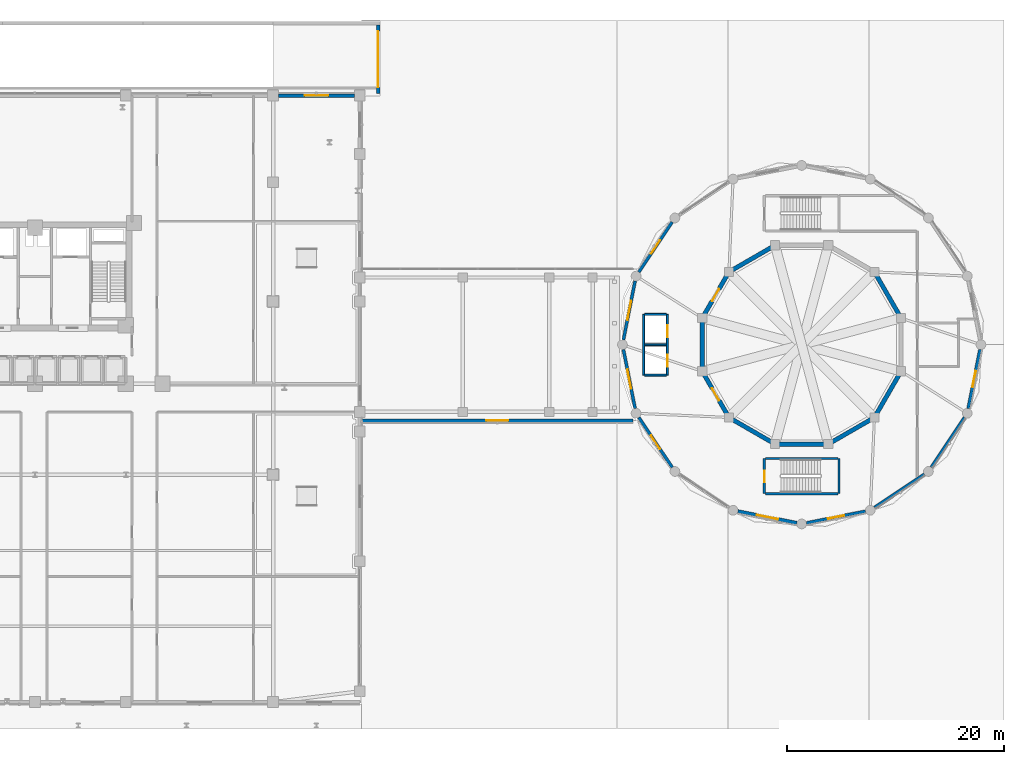
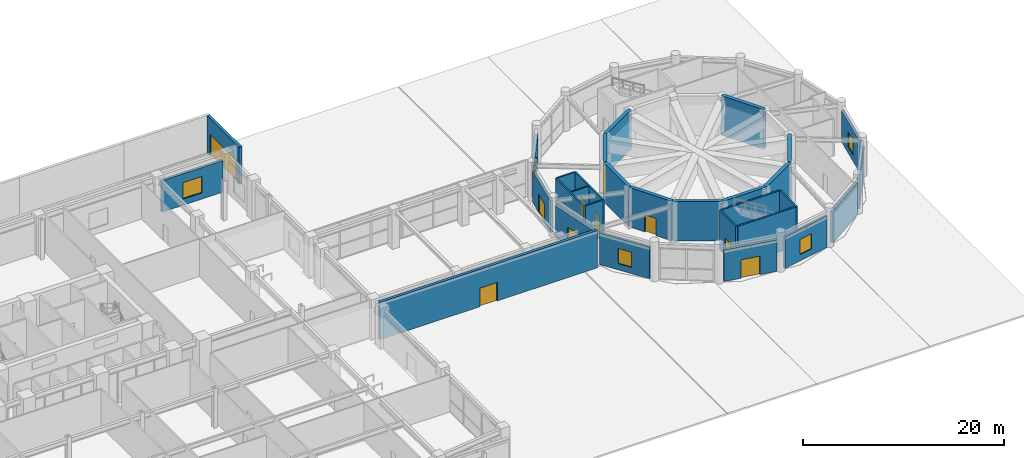
# One storey, part 27 of 40: 30 walls, 10 doors, 5 windows, 15 openings.
"""IFC4 building model written with IfcOpenShell, lengths in metres."""

from ifc_helpers import new_model, si_unit, derived_unit, direction, frame, frame_2d, origin, place, context, subcontext, project, spatial, rectangle, extrude, material, layer, layer_set, type_object, element, fill, save


model = new_model("IFC4")

# Units and contexts
model_context = context("Model", 3, precision=1e-05, world=origin(), true_north=direction((0.0, 1.0)))
body_context = subcontext(model_context, "Body", "Model", "MODEL_VIEW")
ifc_project = project(units=[si_unit("LENGTHUNIT", "METRE"), si_unit("AREAUNIT", "SQUARE_METRE"), si_unit("VOLUMEUNIT", "CUBIC_METRE"), si_unit("PLANEANGLEUNIT", "RADIAN"), si_unit("MASSUNIT", "GRAM", prefix="KILO"), derived_unit("THERMALTRANSMITTANCEUNIT", [(si_unit("POWERUNIT", "WATT"), 1), (si_unit("LENGTHUNIT", "METRE"), -2), (si_unit("THERMODYNAMICTEMPERATUREUNIT", "KELVIN"), -1)])], contexts=[model_context])

# Site, building, storey
site_placement = place(None, origin())
site = spatial("IfcSite", under=ifc_project, at=site_placement, CompositionType="ELEMENT")
building_placement = place(site_placement, origin())
building = spatial("IfcBuilding", under=site, at=building_placement, Name="Korsvarv Bourse and Concert Hall", CompositionType="ELEMENT")
storey_placement = place(building_placement, origin())
storey = spatial("IfcBuildingStorey", under=building, at=storey_placement, Name="L00", CompositionType="ELEMENT", Elevation=0.0)

# Wall, opening, door
ifc_material_1 = material(Name="Concrete C50/60", Category="concrete")
ifc_layer_1 = layer(ifc_material_1, 0.3798828125)
ifc_layer_set_1 = layer_set([ifc_layer_1], Name="Concrete C50/60")
wall_type_1 = type_object("IfcWallType", Name="WL-CORE-380", PredefinedType="SHEAR", material=ifc_layer_set_1)
wall_1_placement = place(storey_placement, frame((103.35009765625, 22.239990234375, 0.0), z_axis=(0.0, 0.0, 1.0), x_axis=(0.0, 1.0, 0.0)))
wall_1 = element("IfcWall", 1, at=wall_1_placement, inside=storey, type_object=wall_type_1, Name="L00 stair shaft structural wall W-L00-STCH2-W", PredefinedType="SHEAR", context=body_context, shape_type="SweptSolid", body=[
    extrude(rectangle(XDim=3.260009765625, YDim=0.199951171875, at=frame_2d((1.6298828125, 0.0))), origin(), (0.0, 0.0, 1.0), 4.800048828125),
])
opening_1_placement = place(wall_1_placement, frame((1.050048828125, 0.0, 0.0)))
opening_1 = element("IfcOpeningElement", 2, at=opening_1_placement, cuts=wall_1, Name="Opening D-01", PredefinedType="OPENING", context=body_context, shape_type="SweptSolid", body=[
    extrude(rectangle(XDim=1.050048828125, YDim=2.10009765625, at=frame_2d((0.52490234375, 1.050048828125))), frame((0.0, 0.10986328125, 0.0), z_axis=(0.0, -1.0, 0.0), x_axis=(1.0, 0.0, 0.0)), (0.0, 0.0, 1.0), 0.219970703125),
])
ifc_material_2 = material(Name="Steel S355 fire door", Category="steel")
door_type_1 = type_object("IfcDoorType", Name="DR-FD60", OperationType="NOTDEFINED", PredefinedType="DOOR", material=ifc_material_2)
door_1_placement = place(opening_1_placement, origin())
door_1 = element("IfcDoor", 3, at=door_1_placement, inside=storey, type_object=door_type_1, Name="L00 interior door DR-L00-STCH2", OperationType="SINGLE_SWING_RIGHT", OverallHeight=2.10009765625, OverallWidth=1.050048828125, PredefinedType="DOOR", context=body_context, shape_type="SweptSolid", body=[
    extrude(rectangle(XDim=1.050048828125, YDim=2.10009765625, at=frame_2d((0.52490234375, 1.050048828125))), frame((0.0, 0.02490234375, 0.0), z_axis=(0.0, -1.0, 0.0), x_axis=(1.0, 0.0, 0.0)), (0.0, 0.0, 1.0), 0.050048828125),
])
fill(opening_1, door_1)

# Walls
for number, where, z_axis, x_axis, name in (
    (4, (103.4599609375, 25.5, 0.0), (0.0, 0.0, 1.0), (1.0, 0.0, 0.0), "L00 stair shaft structural wall W-L00-STCH2-N"),
    (5, (103.4599609375, 22.239990234375, 0.0), (0.0, 0.0, 1.0), (1.0, 0.0, 0.0), "L00 stair shaft structural wall W-L00-STCH2-S"),
):
    element("IfcWall", number, at=place(storey_placement, frame(where, z_axis=z_axis, x_axis=x_axis)), inside=storey, type_object=wall_type_1, Name=name, PredefinedType="SHEAR", context=body_context, shape_type="SweptSolid", body=[
        extrude(rectangle(XDim=6.679931640625, YDim=0.199951171875, at=frame_2d((3.33984375, 0.0))), origin(), (0.0, 0.0, 1.0), 4.800048828125),
    ])
wall_2_placement = place(storey_placement, frame((110.25, 22.239990234375, 0.0), z_axis=(0.0, 0.0, 1.0), x_axis=(0.0, 1.0, 0.0)))
element("IfcWall", 6, at=wall_2_placement, inside=storey, type_object=wall_type_1, Name="L00 stair shaft structural wall W-L00-STCH2-E", PredefinedType="SHEAR", context=body_context, shape_type="SweptSolid", body=[
    extrude(rectangle(XDim=3.260009765625, YDim=0.199951171875, at=frame_2d((1.6298828125, 0.0))), origin(), (0.0, 0.0, 1.0), 4.800048828125),
])
ifc_layer_2 = layer(ifc_material_1, 0.39990234375)
ifc_layer_set_2 = layer_set([ifc_layer_2], Name="Concrete C50/60")
wall_type_2 = type_object("IfcWallType", Name="WL-DRM-400", PredefinedType="SOLIDWALL", material=ifc_layer_set_2)
for number, where, z_axis, x_axis, name in (
    (7, (115.976318359375, 38.458740234375, 0.0), (0.0, 0.0, 1.0), (-0.499988900423, 0.866031812033, 0.0), "L00 Concert Hall Acoustic Bowl Wall 1"),
    (8, (104.34130859375, 45.17626953125, 0.0), (0.0, 0.0, 1.0), (-0.866031812033, -0.499988900423, 0.0), "L00 Concert Hall Acoustic Bowl Wall 4"),
):
    element("IfcWall", number, at=place(storey_placement, frame(where, z_axis=z_axis, x_axis=x_axis)), inside=storey, type_object=wall_type_2, Name=name, PredefinedType="SOLIDWALL", context=body_context, shape_type="SweptSolid", body=[
        extrude(rectangle(XDim=4.91748046875, YDim=0.39990234375, at=frame_2d((2.458740234375, 0.0))), origin(), (0.0, 0.0, 1.0), 4.800048828125),
    ])

# Wall, opening, door
wall_3_placement = place(storey_placement, frame((100.08251953125, 42.717529296875, 0.0), z_axis=(0.0, 0.0, 1.0), x_axis=(-0.499988900423, -0.866031812033, 0.0)))
wall_3 = element("IfcWall", 9, at=wall_3_placement, inside=storey, type_object=wall_type_2, Name="L00 Concert Hall Acoustic Bowl Wall 5", PredefinedType="SOLIDWALL", context=body_context, shape_type="SweptSolid", body=[
    extrude(rectangle(XDim=4.91748046875, YDim=0.39990234375, at=frame_2d((2.458740234375, 0.0))), origin(), (0.0, 0.0, 1.0), 4.800048828125),
])
opening_2_placement = place(wall_3_placement, frame((1.808837890625, 0.0, 0.0)))
opening_2 = element("IfcOpeningElement", 10, at=opening_2_placement, cuts=wall_3, Name="Opening D-04", PredefinedType="OPENING", context=body_context, shape_type="SweptSolid", body=[
    extrude(rectangle(XDim=1.300048828125, YDim=2.10009765625, at=frame_2d((0.64990234375, 1.050048828125))), frame((0.0, 0.2099609375, 0.0), z_axis=(0.0, -1.0, 0.0), x_axis=(1.0, 0.0, 0.0)), (0.0, 0.0, 1.0), 0.419921875),
])
ifc_material_3 = material(Name="Glazed aluminium double corridor door", Category="aluminium")
door_type_2 = type_object("IfcDoorType", Name="DR-INT-2", OperationType="DOUBLE_DOOR_SINGLE_SWING", PredefinedType="DOOR", material=ifc_material_3)
door_2_placement = place(opening_2_placement, frame((1.300048828125, 0.0, 0.0), z_axis=(0.0, 0.0, 1.0), x_axis=(-1.0, 0.0, 0.0)))
door_2 = element("IfcDoor", 11, at=door_2_placement, inside=storey, type_object=door_type_2, Name="L00 Symphony Auditorium acoustic door DR-L00-CHB1", OperationType="SINGLE_SWING_LEFT", OverallHeight=2.10009765625, OverallWidth=1.300048828125, PredefinedType="DOOR", context=body_context, shape_type="SweptSolid", body=[
    extrude(rectangle(XDim=1.300048828125, YDim=2.10009765625, at=frame_2d((0.64990234375, 1.050048828125))), frame((0.0, 0.02490234375, 0.0), z_axis=(0.0, -1.0, 0.0), x_axis=(1.0, 0.0, 0.0)), (0.0, 0.0, 1.0), 0.050048828125),
])
fill(opening_2, door_2)

# Wall
wall_4_placement = place(storey_placement, frame((97.623779296875, 38.458740234375, 0.0), z_axis=(0.0, 0.0, 1.0), x_axis=(0.0, -1.0, 0.0)))
element("IfcWall", 12, at=wall_4_placement, inside=storey, type_object=wall_type_2, Name="L00 Concert Hall Acoustic Bowl Wall 6", PredefinedType="SOLIDWALL", context=body_context, shape_type="SweptSolid", body=[
    extrude(rectangle(XDim=4.91748046875, YDim=0.39990234375, at=frame_2d((2.458740234375, 0.0))), origin(), (0.0, 0.0, 1.0), 4.800048828125),
])

# Wall, opening, door
wall_5_placement = place(storey_placement, frame((97.623779296875, 33.541259765625, 0.0), z_axis=(0.0, 0.0, 1.0), x_axis=(0.499988900423, -0.866031812033, 0.0)))
wall_5 = element("IfcWall", 13, at=wall_5_placement, inside=storey, type_object=wall_type_2, Name="L00 Concert Hall Acoustic Bowl Wall 7", PredefinedType="SOLIDWALL", context=body_context, shape_type="SweptSolid", body=[
    extrude(rectangle(XDim=4.91748046875, YDim=0.39990234375, at=frame_2d((2.458740234375, 0.0))), origin(), (0.0, 0.0, 1.0), 4.800048828125),
])
opening_3_placement = place(wall_5_placement, frame((1.808837890625, 0.0, 0.0)))
opening_3 = element("IfcOpeningElement", 14, at=opening_3_placement, cuts=wall_5, Name="Opening D-04", PredefinedType="OPENING", context=body_context, shape_type="SweptSolid", body=[
    extrude(rectangle(XDim=1.300048828125, YDim=2.10009765625, at=frame_2d((0.64990234375, 1.050048828125))), frame((0.0, 0.2099609375, 0.0), z_axis=(0.0, -1.0, 0.0), x_axis=(1.0, 0.0, 0.0)), (0.0, 0.0, 1.0), 0.419921875),
])
door_3_placement = place(opening_3_placement, frame((1.300048828125, 0.0, 0.0), z_axis=(0.0, 0.0, 1.0), x_axis=(-1.0, 0.0, 0.0)))
door_3 = element("IfcDoor", 15, at=door_3_placement, inside=storey, type_object=door_type_2, Name="L00 Symphony Auditorium acoustic door DR-L00-CHB2", OperationType="SINGLE_SWING_RIGHT", OverallHeight=2.10009765625, OverallWidth=1.300048828125, PredefinedType="DOOR", context=body_context, shape_type="SweptSolid", body=[
    extrude(rectangle(XDim=1.300048828125, YDim=2.10009765625, at=frame_2d((0.64990234375, 1.050048828125))), frame((0.0, 0.02490234375, 0.0), z_axis=(0.0, -1.0, 0.0), x_axis=(1.0, 0.0, 0.0)), (0.0, 0.0, 1.0), 0.050048828125),
])
fill(opening_3, door_3)

# Walls
for number, where, z_axis, x_axis, name in (
    (16, (100.08251953125, 29.282470703125, 0.0), (0.0, 0.0, 1.0), (0.866031812033, -0.499988900423, 0.0), "L00 Concert Hall Acoustic Bowl Wall 8"),
    (17, (104.34130859375, 26.82373046875, 0.0), (0.0, 0.0, 1.0), (1.0, 0.0, 0.0), "L00 Concert Hall Acoustic Bowl Wall 9"),
    (18, (109.2587890625, 26.82373046875, 0.0), (0.0, 0.0, 1.0), (0.866031812033, 0.499988900423, 0.0), "L00 Concert Hall Acoustic Bowl Wall 10"),
    (19, (113.517578125, 29.282470703125, 0.0), (0.0, 0.0, 1.0), (0.499988900423, 0.866031812033, 0.0), "L00 Concert Hall Acoustic Bowl Wall 11"),
):
    element("IfcWall", number, at=place(storey_placement, frame(where, z_axis=z_axis, x_axis=x_axis)), inside=storey, type_object=wall_type_2, Name=name, PredefinedType="SOLIDWALL", context=body_context, shape_type="SweptSolid", body=[
        extrude(rectangle(XDim=4.91748046875, YDim=0.39990234375, at=frame_2d((2.458740234375, 0.0))), origin(), (0.0, 0.0, 1.0), 4.800048828125),
    ])

# Wall, opening, window
ifc_material_4 = material(Name="Precast concrete C45/55 with granite and terracotta", Category="concrete")
ifc_layer_3 = layer(ifc_material_4, 0.320068359375)
ifc_layer_set_3 = layer_set([ifc_layer_3], Name="Precast concrete C45/55 with granite and terracotta")
wall_type_3 = type_object("IfcWallType", Name="WL-EXT-POD", PredefinedType="SOLIDWALL", material=ifc_layer_set_3)
wall_6_placement = place(storey_placement, frame((58.5048828125, 59.0, 0.0), z_axis=(0.0, 0.0, 1.0), x_axis=(1.0, 0.0, 0.0)))
wall_6 = element("IfcWall", 20, at=wall_6_placement, inside=storey, type_object=wall_type_3, Name="L00 terracotta exterior wall EW-L00-N5", PredefinedType="SOLIDWALL", context=body_context, shape_type="SweptSolid", body=[
    extrude(rectangle(XDim=6.990234375, YDim=0.320068359375, at=frame_2d((3.4951171875, 0.0))), origin(), (0.0, 0.0, 1.0), 3.820068359375),
])
opening_4_placement = place(wall_6_placement, frame((2.39501953125, 0.0, 0.75)))
opening_4 = element("IfcOpeningElement", 21, at=opening_4_placement, cuts=wall_6, Name="Opening W-03", PredefinedType="OPENING", context=body_context, shape_type="SweptSolid", body=[
    extrude(rectangle(XDim=2.199951171875, YDim=2.0, at=frame_2d((1.10009765625, 1.0))), frame((0.0, 0.169921875, 0.0), z_axis=(0.0, -1.0, 0.0), x_axis=(1.0, 0.0, 0.0)), (0.0, 0.0, 1.0), 0.340087890625),
])
ifc_material_5 = material(Name="Thermally broken aluminium frame with triple low-E glass", Category="glass")
window_type_1 = type_object("IfcWindowType", Name="WIN-POD1", PartitioningType="SINGLE_PANEL", PredefinedType="WINDOW", material=ifc_material_5)
window_1_placement = place(opening_4_placement, origin())
window_1 = element("IfcWindow", 22, at=window_1_placement, inside=storey, type_object=window_type_1, Name="L00 punched facade window W-03", OverallHeight=2.0, OverallWidth=2.199951171875, PartitioningType="SINGLE_PANEL", PredefinedType="WINDOW", context=body_context, shape_type="SweptSolid", body=[
    extrude(rectangle(XDim=2.199951171875, YDim=2.0, at=frame_2d((1.10009765625, 1.0))), frame((0.0, 0.030029296875, 0.0), z_axis=(0.0, -1.0, 0.0), x_axis=(1.0, 0.0, 0.0)), (0.0, 0.0, 1.0), 0.06005859375),
])
fill(opening_4, window_1)

# Wall, opening, door
wall_7_placement = place(storey_placement, frame((67.699951171875, 59.179931640625, 0.0), z_axis=(0.0, 0.0, 1.0), x_axis=(0.0, 1.0, 0.0)))
wall_7 = element("IfcWall", 23, at=wall_7_placement, inside=storey, type_object=wall_type_3, Name="L00 terracotta exterior wall EW-L00-RMPE", PredefinedType="SOLIDWALL", context=body_context, shape_type="SweptSolid", body=[
    extrude(rectangle(XDim=6.360107421875, YDim=0.320068359375, at=frame_2d((3.18017578125, 0.0))), origin(), (0.0, 0.0, 1.0), 4.52001953125),
])
opening_5_placement = place(wall_7_placement, frame((0.580078125, 0.0, 0.0)))
opening_5 = element("IfcOpeningElement", 24, at=opening_5_placement, cuts=wall_7, Name="Opening RS-01", PredefinedType="OPENING", context=body_context, shape_type="SweptSolid", body=[
    extrude(rectangle(XDim=5.199951171875, YDim=2.60009765625, at=frame_2d((2.60009765625, 1.300048828125))), frame((0.0, 0.169921875, 0.0), z_axis=(0.0, -1.0, 0.0), x_axis=(1.0, 0.0, 0.0)), (0.0, 0.0, 1.0), 0.340087890625),
])
ifc_material_6 = material(Name="Galvanised Steel S355 insulated slats", Category="steel")
door_type_3 = type_object("IfcDoorType", Name="DR-EXT-SHUT", OperationType="ROLLINGUP", PredefinedType="DOOR", material=ifc_material_6)
door_4_placement = place(opening_5_placement, origin())
door_4 = element("IfcDoor", 25, at=door_4_placement, inside=storey, type_object=door_type_3, Name="Basement Ramp External Roller Shutter Door RS-01", OperationType="ROLLINGUP", OverallHeight=2.60009765625, OverallWidth=5.199951171875, PredefinedType="DOOR", context=body_context, shape_type="SweptSolid", body=[
    extrude(rectangle(XDim=5.199951171875, YDim=2.60009765625, at=frame_2d((2.60009765625, 1.300048828125))), frame((0.0, 0.02490234375, 0.0), z_axis=(0.0, -1.0, 0.0), x_axis=(1.0, 0.0, 0.0)), (0.0, 0.0, 1.0), 0.050048828125),
])
fill(opening_5, door_4)

wall_8_placement = place(storey_placement, frame((66.159912109375, 29.0, 0.0), z_axis=(0.0, 0.0, 1.0), x_axis=(1.0, 0.0, 0.0)))
wall_8 = element("IfcWall", 26, at=wall_8_placement, inside=storey, type_object=wall_type_3, Name="L00 terracotta exterior wall EW-L00-LKS", PredefinedType="SOLIDWALL", context=body_context, shape_type="SweptSolid", body=[
    extrude(rectangle(XDim=25.06005859375, YDim=0.320068359375, at=frame_2d((12.530029296875, 0.0))), origin(), (0.0, 0.0, 1.0), 4.5400390625),
])
opening_6_placement = place(wall_8_placement, frame((11.530029296875, 0.0, 0.0)))
opening_6 = element("IfcOpeningElement", 27, at=opening_6_placement, cuts=wall_8, Name="Opening ED-01", PredefinedType="OPENING", context=body_context, shape_type="SweptSolid", body=[
    extrude(rectangle(XDim=2.0, YDim=2.25, at=frame_2d((1.0, 1.125))), frame((0.0, 0.169921875, 0.0), z_axis=(0.0, -1.0, 0.0), x_axis=(1.0, 0.0, 0.0)), (0.0, 0.0, 1.0), 0.340087890625),
])
ifc_material_7 = material(Name="Thermally broken anodised aluminium and laminated safety glass", Category="aluminium")
door_type_4 = type_object("IfcDoorType", Name="DR-EXT-EXIT", OperationType="DOUBLE_DOOR_SINGLE_SWING", PredefinedType="DOOR", material=ifc_material_7)
door_5_placement = place(opening_6_placement, frame((2.0, 0.0, 0.0), z_axis=(0.0, 0.0, 1.0), x_axis=(-1.0, 0.0, 0.0)))
door_5 = element("IfcDoor", 28, at=door_5_placement, inside=storey, type_object=door_type_4, Name="L00 Link Gallery South Plaza Exit Door", OperationType="DOUBLE_DOOR_SINGLE_SWING", OverallHeight=2.25, OverallWidth=2.0, PredefinedType="DOOR", context=body_context, shape_type="SweptSolid", body=[
    extrude(rectangle(XDim=2.0, YDim=2.25, at=frame_2d((1.0, 1.125))), frame((0.0, 0.02490234375, 0.0), z_axis=(0.0, -1.0, 0.0), x_axis=(1.0, 0.0, 0.0)), (0.0, 0.0, 1.0), 0.050048828125),
])
fill(opening_6, door_5)

wall_9_placement = place(storey_placement, frame((100.912841796875, 20.62109375, 0.0), z_axis=(0.0, 0.0, 1.0), x_axis=(0.980784952156, -0.195091972221, 0.0)))
wall_9 = element("IfcWall", 29, at=wall_9_placement, inside=storey, type_object=wall_type_3, Name="L00 terracotta exterior wall EW-L00-CHD12", PredefinedType="SOLIDWALL", context=body_context, shape_type="SweptSolid", body=[
    extrude(rectangle(XDim=5.547607421875, YDim=0.320068359375, at=frame_2d((2.77392578125, 0.0))), origin(), (0.0, 0.0, 1.0), 3.830078125),
])
opening_7_placement = place(wall_9_placement, frame((1.773681640625, 0.0, 0.0)))
opening_7 = element("IfcOpeningElement", 30, at=opening_7_placement, cuts=wall_9, Name="Opening ED-01", PredefinedType="OPENING", context=body_context, shape_type="SweptSolid", body=[
    extrude(rectangle(XDim=2.0, YDim=2.25, at=frame_2d((1.0, 1.125))), frame((0.0, 0.169921875, 0.0), z_axis=(0.0, -1.0, 0.0), x_axis=(1.0, 0.0, 0.0)), (0.0, 0.0, 1.0), 0.340087890625),
])
door_6_placement = place(opening_7_placement, frame((2.0, 0.0, 0.0), z_axis=(0.0, 0.0, 1.0), x_axis=(-1.0, 0.0, 0.0)))
door_6 = element("IfcDoor", 31, at=door_6_placement, inside=storey, type_object=door_type_4, Name="Concert Hall Final Exit Door CH12", OperationType="DOUBLE_DOOR_SINGLE_SWING", OverallHeight=2.25, OverallWidth=2.0, PredefinedType="DOOR", context=body_context, shape_type="SweptSolid", body=[
    extrude(rectangle(XDim=2.0, YDim=2.25, at=frame_2d((1.0, 1.125))), frame((0.0, 0.02490234375, 0.0), z_axis=(0.0, -1.0, 0.0), x_axis=(1.0, 0.0, 0.0)), (0.0, 0.0, 1.0), 0.050048828125),
])
fill(opening_7, door_6)

# Wall, opening, window
ifc_material_8 = material(Name="Precast concrete C45/55 with fluted terracotta pier", Category="concrete")
ifc_layer_4 = layer(ifc_material_8, 0.280029296875)
ifc_layer_set_4 = layer_set([ifc_layer_4], Name="Precast concrete C45/55 with fluted terracotta pier")
wall_type_4 = type_object("IfcWallType", Name="WL-EXT-TC2", PredefinedType="SOLIDWALL", material=ifc_layer_set_4)
wall_10_placement = place(storey_placement, frame((94.844482421875, 47.32421875, 0.0), z_axis=(0.0, 0.0, 1.0), x_axis=(-0.555542879373, -0.831487888774, 0.0)))
wall_10 = element("IfcWall", 32, at=wall_10_placement, inside=storey, type_object=wall_type_4, Name="L00 terracotta exterior wall EW-L00-CHD07", PredefinedType="SOLIDWALL", context=body_context, shape_type="SweptSolid", body=[
    extrude(rectangle(XDim=5.54736328125, YDim=0.280029296875, at=frame_2d((2.773681640625, 0.0))), origin(), (0.0, 0.0, 1.0), 3.830078125),
])
opening_8_placement = place(wall_10_placement, frame((2.023681640625, 0.0, 0.75)))
opening_8 = element("IfcOpeningElement", 33, at=opening_8_placement, cuts=wall_10, Name="Opening W-04", PredefinedType="OPENING", context=body_context, shape_type="SweptSolid", body=[
    extrude(rectangle(XDim=1.5, YDim=1.85009765625, at=frame_2d((0.75, 0.925048828125))), frame((0.0, 0.14990234375, 0.0), z_axis=(0.0, -1.0, 0.0), x_axis=(1.0, 0.0, 0.0)), (0.0, 0.0, 1.0), 0.300048828125),
])
window_type_2 = type_object("IfcWindowType", Name="WIN-POD2", PartitioningType="SINGLE_PANEL", PredefinedType="WINDOW", material=ifc_material_5)
window_2_placement = place(opening_8_placement, origin())
window_2 = element("IfcWindow", 34, at=window_2_placement, inside=storey, type_object=window_type_2, Name="L00 punched facade window W-04", OverallHeight=1.85009765625, OverallWidth=1.5, PartitioningType="SINGLE_PANEL", PredefinedType="WINDOW", context=body_context, shape_type="SweptSolid", body=[
    extrude(rectangle(XDim=1.5, YDim=1.85009765625, at=frame_2d((0.75, 0.925048828125))), frame((0.0, 0.030029296875, 0.0), z_axis=(0.0, -1.0, 0.0), x_axis=(1.0, 0.0, 0.0)), (0.0, 0.0, 1.0), 0.06005859375),
])
fill(opening_8, window_2)

# Wall, opening, door
wall_11_placement = place(storey_placement, frame((91.4208984375, 41.88720703125, 0.0), z_axis=(0.0, 0.0, 1.0), x_axis=(-0.19504963768, -0.980793372144, 0.0)))
wall_11 = element("IfcWall", 35, at=wall_11_placement, inside=storey, type_object=wall_type_4, Name="L00 terracotta exterior wall EW-L00-CHD08", PredefinedType="SOLIDWALL", context=body_context, shape_type="SweptSolid", body=[
    extrude(rectangle(XDim=5.54736328125, YDim=0.280029296875, at=frame_2d((2.773681640625, 0.0))), origin(), (0.0, 0.0, 1.0), 3.830078125),
])
opening_9_placement = place(wall_11_placement, frame((1.873779296875, 0.0, 0.0)))
opening_9 = element("IfcOpeningElement", 36, at=opening_9_placement, cuts=wall_11, Name="Opening ED-03", PredefinedType="OPENING", context=body_context, shape_type="SweptSolid", body=[
    extrude(rectangle(XDim=1.800048828125, YDim=2.199951171875, at=frame_2d((0.89990234375, 1.10009765625))), frame((0.0, 0.14990234375, 0.0), z_axis=(0.0, -1.0, 0.0), x_axis=(1.0, 0.0, 0.0)), (0.0, 0.0, 1.0), 0.300048828125),
])
door_type_5 = type_object("IfcDoorType", Name="DR-EXT-EXIT-1800X2200", OperationType="DOUBLE_DOOR_SINGLE_SWING", PredefinedType="DOOR", material=ifc_material_7)
door_7_placement = place(opening_9_placement, frame((1.800048828125, 0.0, 0.0), z_axis=(0.0, 0.0, 1.0), x_axis=(-1.0, 0.0, 0.0)))
door_7 = element("IfcDoor", 37, at=door_7_placement, inside=storey, type_object=door_type_5, Name="L00 Concert Hall Link Bridge Portal Door 8", OperationType="DOUBLE_DOOR_SINGLE_SWING", OverallHeight=2.199951171875, OverallWidth=1.800048828125, PredefinedType="DOOR", context=body_context, shape_type="SweptSolid", body=[
    extrude(rectangle(XDim=1.800048828125, YDim=2.199951171875, at=frame_2d((0.89990234375, 1.10009765625))), frame((0.0, 0.02490234375, 0.0), z_axis=(0.0, -1.0, 0.0), x_axis=(1.0, 0.0, 0.0)), (0.0, 0.0, 1.0), 0.050048828125),
])
fill(opening_9, door_7)

wall_12_placement = place(storey_placement, frame((90.3388671875, 35.5537109375, 0.0), z_axis=(0.0, 0.0, 1.0), x_axis=(0.19504963768, -0.980793372144, 0.0)))
wall_12 = element("IfcWall", 38, at=wall_12_placement, inside=storey, type_object=wall_type_4, Name="L00 terracotta exterior wall EW-L00-CHD09", PredefinedType="SOLIDWALL", context=body_context, shape_type="SweptSolid", body=[
    extrude(rectangle(XDim=5.54736328125, YDim=0.280029296875, at=frame_2d((2.773681640625, 0.0))), origin(), (0.0, 0.0, 1.0), 3.830078125),
])
opening_10_placement = place(wall_12_placement, frame((1.873779296875, 0.0, 0.0)))
opening_10 = element("IfcOpeningElement", 39, at=opening_10_placement, cuts=wall_12, Name="Opening ED-03", PredefinedType="OPENING", context=body_context, shape_type="SweptSolid", body=[
    extrude(rectangle(XDim=1.800048828125, YDim=2.199951171875, at=frame_2d((0.89990234375, 1.10009765625))), frame((0.0, 0.14990234375, 0.0), z_axis=(0.0, -1.0, 0.0), x_axis=(1.0, 0.0, 0.0)), (0.0, 0.0, 1.0), 0.300048828125),
])
door_8_placement = place(opening_10_placement, frame((1.800048828125, 0.0, 0.0), z_axis=(0.0, 0.0, 1.0), x_axis=(-1.0, 0.0, 0.0)))
door_8 = element("IfcDoor", 40, at=door_8_placement, inside=storey, type_object=door_type_5, Name="L00 Concert Hall Link Bridge Portal Door 9", OperationType="DOUBLE_DOOR_SINGLE_SWING", OverallHeight=2.199951171875, OverallWidth=1.800048828125, PredefinedType="DOOR", context=body_context, shape_type="SweptSolid", body=[
    extrude(rectangle(XDim=1.800048828125, YDim=2.199951171875, at=frame_2d((0.89990234375, 1.10009765625))), frame((0.0, 0.02490234375, 0.0), z_axis=(0.0, -1.0, 0.0), x_axis=(1.0, 0.0, 0.0)), (0.0, 0.0, 1.0), 0.050048828125),
])
fill(opening_10, door_8)

# Wall, opening, window
wall_13_placement = place(storey_placement, frame((91.7626953125, 29.288330078125, 0.0), z_axis=(0.0, 0.0, 1.0), x_axis=(0.555542879373, -0.831487888774, 0.0)))
wall_13 = element("IfcWall", 41, at=wall_13_placement, inside=storey, type_object=wall_type_4, Name="L00 terracotta exterior wall EW-L00-CHD10", PredefinedType="SOLIDWALL", context=body_context, shape_type="SweptSolid", body=[
    extrude(rectangle(XDim=5.54736328125, YDim=0.280029296875, at=frame_2d((2.773681640625, 0.0))), origin(), (0.0, 0.0, 1.0), 3.830078125),
])
opening_11_placement = place(wall_13_placement, frame((2.023681640625, 0.0, 0.75)))
opening_11 = element("IfcOpeningElement", 42, at=opening_11_placement, cuts=wall_13, Name="Opening W-04", PredefinedType="OPENING", context=body_context, shape_type="SweptSolid", body=[
    extrude(rectangle(XDim=1.5, YDim=1.85009765625, at=frame_2d((0.75, 0.925048828125))), frame((0.0, 0.14990234375, 0.0), z_axis=(0.0, -1.0, 0.0), x_axis=(1.0, 0.0, 0.0)), (0.0, 0.0, 1.0), 0.300048828125),
])
window_3_placement = place(opening_11_placement, origin())
window_3 = element("IfcWindow", 43, at=window_3_placement, inside=storey, type_object=window_type_2, Name="L00 punched facade window W-04", OverallHeight=1.85009765625, OverallWidth=1.5, PartitioningType="SINGLE_PANEL", PredefinedType="WINDOW", context=body_context, shape_type="SweptSolid", body=[
    extrude(rectangle(XDim=1.5, YDim=1.85009765625, at=frame_2d((0.75, 0.925048828125))), frame((0.0, 0.030029296875, 0.0), z_axis=(0.0, -1.0, 0.0), x_axis=(1.0, 0.0, 0.0)), (0.0, 0.0, 1.0), 0.06005859375),
])
fill(opening_11, window_3)

wall_14_placement = place(storey_placement, frame((107.246337890625, 19.538818359375, 0.0), z_axis=(0.0, 0.0, 1.0), x_axis=(0.980783277025, 0.195100393406, 0.0)))
wall_14 = element("IfcWall", 44, at=wall_14_placement, inside=storey, type_object=wall_type_4, Name="L00 terracotta exterior wall EW-L00-CHD13", PredefinedType="SOLIDWALL", context=body_context, shape_type="SweptSolid", body=[
    extrude(rectangle(XDim=5.54736328125, YDim=0.280029296875, at=frame_2d((2.773681640625, 0.0))), origin(), (0.0, 0.0, 1.0), 3.830078125),
])
opening_12_placement = place(wall_14_placement, frame((2.023681640625, 0.0, 0.75)))
opening_12 = element("IfcOpeningElement", 45, at=opening_12_placement, cuts=wall_14, Name="Opening W-04", PredefinedType="OPENING", context=body_context, shape_type="SweptSolid", body=[
    extrude(rectangle(XDim=1.5, YDim=1.85009765625, at=frame_2d((0.75, 0.925048828125))), frame((0.0, 0.14990234375, 0.0), z_axis=(0.0, -1.0, 0.0), x_axis=(1.0, 0.0, 0.0)), (0.0, 0.0, 1.0), 0.300048828125),
])
window_4_placement = place(opening_12_placement, origin())
window_4 = element("IfcWindow", 46, at=window_4_placement, inside=storey, type_object=window_type_2, Name="L00 punched facade window W-04", OverallHeight=1.85009765625, OverallWidth=1.5, PartitioningType="SINGLE_PANEL", PredefinedType="WINDOW", context=body_context, shape_type="SweptSolid", body=[
    extrude(rectangle(XDim=1.5, YDim=1.85009765625, at=frame_2d((0.75, 0.925048828125))), frame((0.0, 0.030029296875, 0.0), z_axis=(0.0, -1.0, 0.0), x_axis=(1.0, 0.0, 0.0)), (0.0, 0.0, 1.0), 0.06005859375),
])
fill(opening_12, window_4)

# Walls
for number, where, z_axis, x_axis, name in (
    (47, (113.51171875, 20.962646484375, 0.0), (0.0, 0.0, 1.0), (0.831467559129, 0.555573305798, 0.0), "L00 terracotta exterior wall EW-L00-CHD14"),
    (48, (118.75537109375, 24.67578125, 0.0), (0.0, 0.0, 1.0), (0.555573305798, 0.831467559129, 0.0), "L00 terracotta exterior wall EW-L00-CHD15"),
):
    element("IfcWall", number, at=place(storey_placement, frame(where, z_axis=z_axis, x_axis=x_axis)), inside=storey, type_object=wall_type_4, Name=name, PredefinedType="SOLIDWALL", context=body_context, shape_type="SweptSolid", body=[
        extrude(rectangle(XDim=5.54736328125, YDim=0.280029296875, at=frame_2d((2.773681640625, 0.0))), origin(), (0.0, 0.0, 1.0), 3.830078125),
    ])

# Wall, opening, window
wall_15_placement = place(storey_placement, frame((122.178955078125, 30.11279296875, 0.0), z_axis=(0.0, 0.0, 1.0), x_axis=(0.195091972221, 0.980784952156, 0.0)))
wall_15 = element("IfcWall", 49, at=wall_15_placement, inside=storey, type_object=wall_type_4, Name="L00 terracotta exterior wall EW-L00-CHD16", PredefinedType="SOLIDWALL", context=body_context, shape_type="SweptSolid", body=[
    extrude(rectangle(XDim=5.547607421875, YDim=0.280029296875, at=frame_2d((2.77392578125, 0.0))), origin(), (0.0, 0.0, 1.0), 3.830078125),
])
opening_13_placement = place(wall_15_placement, frame((2.023681640625, 0.0, 0.75)))
opening_13 = element("IfcOpeningElement", 50, at=opening_13_placement, cuts=wall_15, Name="Opening W-04", PredefinedType="OPENING", context=body_context, shape_type="SweptSolid", body=[
    extrude(rectangle(XDim=1.5, YDim=1.85009765625, at=frame_2d((0.75, 0.925048828125))), frame((0.0, 0.14990234375, 0.0), z_axis=(0.0, -1.0, 0.0), x_axis=(1.0, 0.0, 0.0)), (0.0, 0.0, 1.0), 0.300048828125),
])
window_5_placement = place(opening_13_placement, origin())
window_5 = element("IfcWindow", 51, at=window_5_placement, inside=storey, type_object=window_type_2, Name="L00 punched facade window W-04", OverallHeight=1.85009765625, OverallWidth=1.5, PartitioningType="SINGLE_PANEL", PredefinedType="WINDOW", context=body_context, shape_type="SweptSolid", body=[
    extrude(rectangle(XDim=1.5, YDim=1.85009765625, at=frame_2d((0.75, 0.925048828125))), frame((0.0, 0.030029296875, 0.0), z_axis=(0.0, -1.0, 0.0), x_axis=(1.0, 0.0, 0.0)), (0.0, 0.0, 1.0), 0.06005859375),
])
fill(opening_13, window_5)

# Wall, openings, doors
ifc_material_9 = material(Name="Gypsum-clad autoclaved concrete shaft wall C30/37", Category="concrete")
ifc_layer_5 = layer(ifc_material_9, 0.179931640625)
ifc_layer_set_5 = layer_set([ifc_layer_5], Name="Gypsum-clad autoclaved concrete shaft wall C30/37")
wall_type_5 = type_object("IfcWallType", Name="WL-INT-EI90", PredefinedType="PARTITIONING", material=ifc_layer_set_5)
wall_16_placement = place(storey_placement, frame((94.39990234375, 33.199951171875, 0.0), z_axis=(0.0, 0.0, 1.0), x_axis=(0.0, 1.0, 0.0)))
wall_16 = element("IfcWall", 52, at=wall_16_placement, inside=storey, type_object=wall_type_5, Name="L00 interior partition wall W-L00-CHLF-E", PredefinedType="PARTITIONING", context=body_context, shape_type="SweptSolid", body=[
    extrude(rectangle(XDim=5.60009765625, YDim=0.179931640625, at=frame_2d((2.800048828125, 0.0))), origin(), (0.0, 0.0, 1.0), 4.52001953125),
])
opening_14_placement = place(wall_16_placement, frame((3.5, 0.0, 0.0)))
opening_14 = element("IfcOpeningElement", 53, at=opening_14_placement, cuts=wall_16, Name="Opening LD-2", PredefinedType="OPENING", context=body_context, shape_type="SweptSolid", body=[
    extrude(rectangle(XDim=1.10009765625, YDim=2.10009765625, at=frame_2d((0.550048828125, 1.050048828125))), frame((0.0, 0.10009765625, 0.0), z_axis=(0.0, -1.0, 0.0), x_axis=(1.0, 0.0, 0.0)), (0.0, 0.0, 1.0), 0.199951171875),
])
opening_15_placement = place(wall_16_placement, frame((0.75, 0.0, 0.0)))
opening_15 = element("IfcOpeningElement", 54, at=opening_15_placement, cuts=wall_16, Name="Opening LD-2", PredefinedType="OPENING", context=body_context, shape_type="SweptSolid", body=[
    extrude(rectangle(XDim=1.10009765625, YDim=2.10009765625, at=frame_2d((0.550048828125, 1.050048828125))), frame((0.0, 0.10009765625, 0.0), z_axis=(0.0, -1.0, 0.0), x_axis=(1.0, 0.0, 0.0)), (0.0, 0.0, 1.0), 0.199951171875),
])
ifc_material_10 = material(Name="Brushed stainless Steel S355 lift landing door", Category="steel")
door_type_6 = type_object("IfcDoorType", Name="DR-LIFT-P", OperationType="DOUBLE_DOOR_SLIDING", PredefinedType="DOOR", material=ifc_material_10)
door_9_placement = place(opening_14_placement, origin())
door_9 = element("IfcDoor", 55, at=door_9_placement, inside=storey, type_object=door_type_6, Name="L00 lift sliding landing door LD-L00-CHL1", OperationType="DOUBLE_DOOR_SLIDING", OverallHeight=2.10009765625, OverallWidth=1.10009765625, PredefinedType="DOOR", context=body_context, shape_type="SweptSolid", body=[
    extrude(rectangle(XDim=1.10009765625, YDim=2.10009765625, at=frame_2d((0.550048828125, 1.050048828125))), frame((0.0, 0.02490234375, 0.0), z_axis=(0.0, -1.0, 0.0), x_axis=(1.0, 0.0, 0.0)), (0.0, 0.0, 1.0), 0.050048828125),
])
fill(opening_14, door_9)
door_10_placement = place(opening_15_placement, origin())
door_10 = element("IfcDoor", 56, at=door_10_placement, inside=storey, type_object=door_type_6, Name="L00 lift sliding landing door LD-L00-CHL2", OperationType="DOUBLE_DOOR_SLIDING", OverallHeight=2.10009765625, OverallWidth=1.10009765625, PredefinedType="DOOR", context=body_context, shape_type="SweptSolid", body=[
    extrude(rectangle(XDim=1.10009765625, YDim=2.10009765625, at=frame_2d((0.550048828125, 1.050048828125))), frame((0.0, 0.02490234375, 0.0), z_axis=(0.0, -1.0, 0.0), x_axis=(1.0, 0.0, 0.0)), (0.0, 0.0, 1.0), 0.050048828125),
])
fill(opening_15, door_10)

# Walls
wall_17_placement = place(storey_placement, frame((92.199951171875, 33.199951171875, 0.0), z_axis=(0.0, 0.0, 1.0), x_axis=(0.0, 1.0, 0.0)))
element("IfcWall", 57, at=wall_17_placement, inside=storey, type_object=wall_type_5, Name="L00 interior partition wall W-L00-CHLF-W", PredefinedType="PARTITIONING", context=body_context, shape_type="SweptSolid", body=[
    extrude(rectangle(XDim=5.60009765625, YDim=0.179931640625, at=frame_2d((2.800048828125, 0.0))), origin(), (0.0, 0.0, 1.0), 4.52001953125),
])
for number, where, z_axis, x_axis, name in (
    (58, (92.300048828125, 38.800048828125, 0.0), (0.0, 0.0, 1.0), (1.0, 0.0, 0.0), "L00 interior partition wall W-L00-CHLF-N"),
    (59, (92.300048828125, 33.199951171875, 0.0), (0.0, 0.0, 1.0), (1.0, 0.0, 0.0), "L00 interior partition wall W-L00-CHLF-S"),
):
    element("IfcWall", number, at=place(storey_placement, frame(where, z_axis=z_axis, x_axis=x_axis)), inside=storey, type_object=wall_type_5, Name=name, PredefinedType="PARTITIONING", context=body_context, shape_type="SweptSolid", body=[
        extrude(rectangle(XDim=2.0, YDim=0.179931640625, at=frame_2d((1.0, 0.0))), origin(), (0.0, 0.0, 1.0), 4.52001953125),
    ])
wall_18_placement = place(storey_placement, frame((92.300048828125, 36.0, 0.0), z_axis=(0.0, 0.0, 1.0), x_axis=(1.0, 0.0, 0.0)))
element("IfcWall", 60, at=wall_18_placement, inside=storey, type_object=wall_type_5, Name="L00 interior partition wall W-L00-CHLF-M", PredefinedType="PARTITIONING", context=body_context, shape_type="SweptSolid", body=[
    extrude(rectangle(XDim=2.0, YDim=0.159912109375, at=frame_2d((1.0, 0.0))), origin(), (0.0, 0.0, 1.0), 4.52001953125),
])

save(model, "model.ifc")
